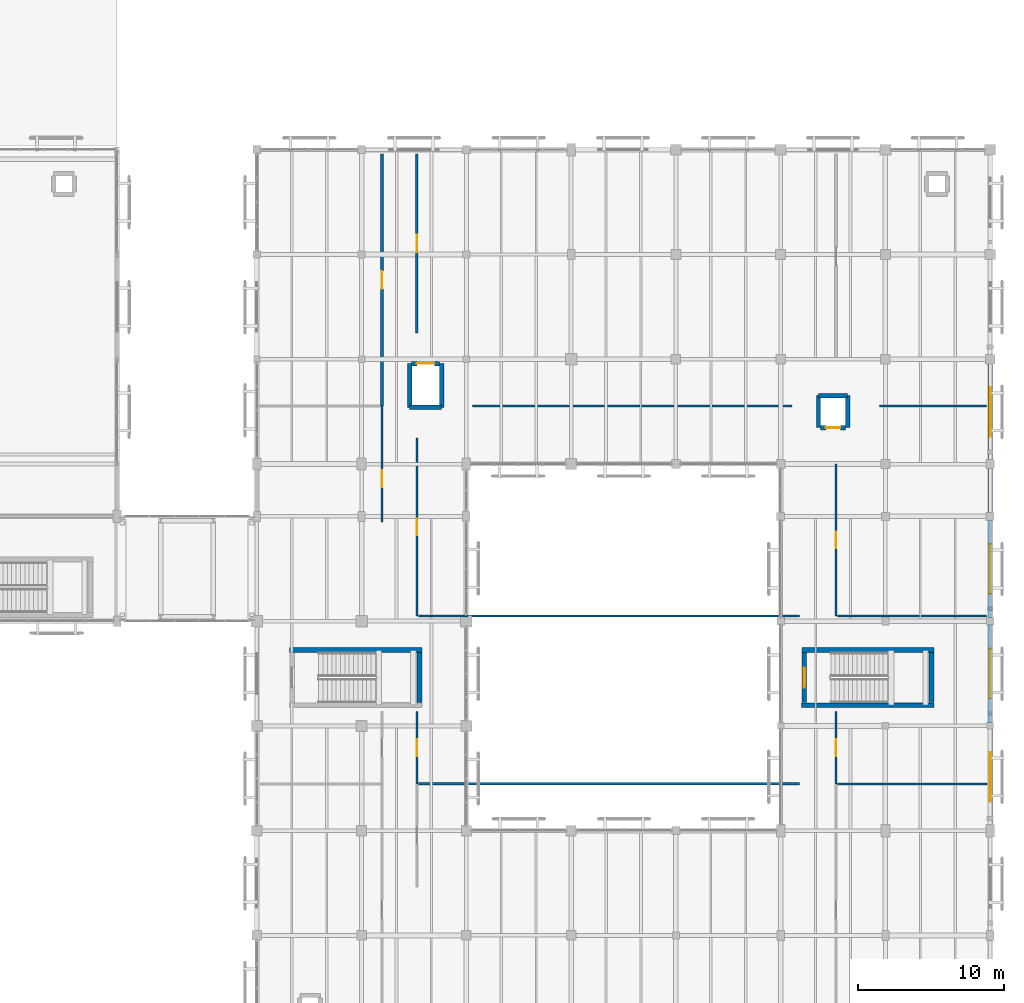
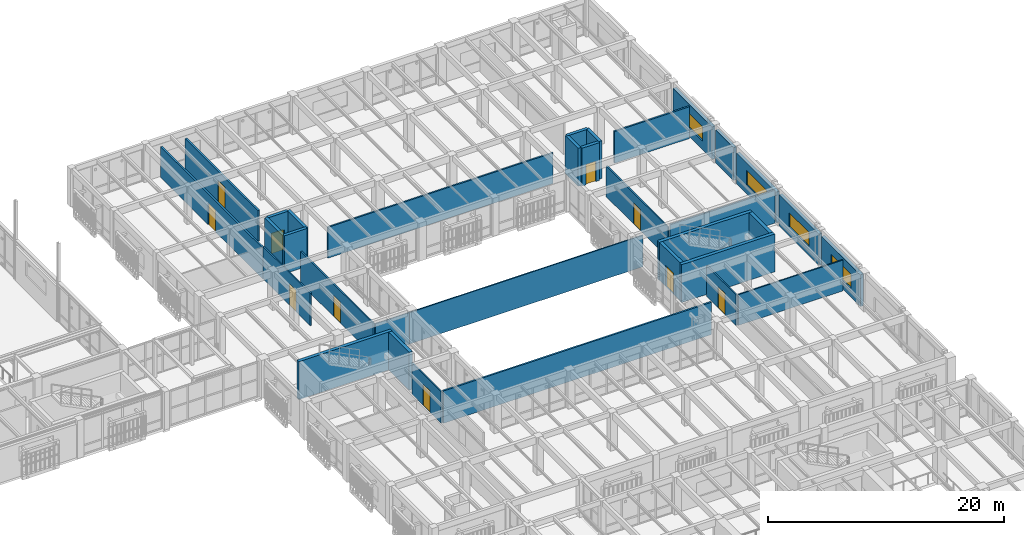
# One storey, part 139 of 170: 33 walls, 10 doors, 4 windows, 14 openings.
"""IFC4 building model written with IfcOpenShell, lengths in metres."""

from ifc_helpers import new_model, si_unit, direction, frame, frame_2d, origin, place, context, subcontext, project, spatial, rectangle, extrude, material, layer, layer_set, type_object, element, fill, save


model = new_model("IFC4")

# Units and contexts
model_context = context("Model", 3, precision=1e-05, world=origin(), true_north=direction((0.0, 1.0)))
body_context = subcontext(model_context, "Body", "Model", "MODEL_VIEW")
ifc_project = project(units=[si_unit("LENGTHUNIT", "METRE"), si_unit("AREAUNIT", "SQUARE_METRE"), si_unit("VOLUMEUNIT", "CUBIC_METRE"), si_unit("PLANEANGLEUNIT", "RADIAN"), si_unit("MASSUNIT", "GRAM", prefix="KILO")], contexts=[model_context])

# Site, building, storey
site_placement = place(None, origin())
site = spatial("IfcSite", under=ifc_project, at=site_placement, CompositionType="ELEMENT")
building_placement = place(site_placement, origin())
building = spatial("IfcBuilding", under=site, at=building_placement, Name="Mazaris Harbour Polytechnic", CompositionType="ELEMENT")
storey_placement = place(building_placement, frame((0.0, 0.0, 5.39990234375)))
storey = spatial("IfcBuildingStorey", under=building, at=storey_placement, Name="L01", CompositionType="ELEMENT", Elevation=5.39990234375)

# Walls
ifc_material_1 = material(Name="Gypsum Board and Mineral Wool")
ifc_layer_1 = layer(ifc_material_1, 0.1201171875, Name="Gypsum Board and Mineral Wool")
ifc_layer_set_1 = layer_set([ifc_layer_1], Name="Gypsum Board and Mineral Wool")
wall_type_1 = type_object("IfcWallType", Name="Acoustic Stud Partition 120", PredefinedType="PARTITIONING", material=ifc_layer_set_1)
wall_1_placement = place(storey_placement, frame((133.52001953125, 75.95703125, 0.0), z_axis=(0.0, 0.0, 1.0), x_axis=(1.0, 0.0, 0.0)))
element("IfcWall", 1, at=wall_1_placement, inside=storey, type_object=wall_type_1, Name="V5 L01 Partition 588", PredefinedType="PARTITIONING", context=body_context, shape_type="SweptSolid", body=[
    extrude(rectangle(XDim=3.35986328125, YDim=0.1201171875, at=frame_2d((1.679931640625, 0.0))), origin(), (0.0, 0.0, 1.0), 3.239990234375),
])
wall_2_placement = place(storey_placement, frame((136.885009765625, 75.95703125, 0.0), z_axis=(0.0, 0.0, 1.0), x_axis=(1.0, 0.0, 0.0)))
element("IfcWall", 2, at=wall_2_placement, inside=storey, type_object=wall_type_1, Name="V5 L01 Partition 590", PredefinedType="PARTITIONING", context=body_context, shape_type="SweptSolid", body=[
    extrude(rectangle(XDim=22.794921875, YDim=0.1201171875, at=frame_2d((11.3974609375, 0.0))), origin(), (0.0, 0.0, 1.0), 3.239990234375),
])
wall_3_placement = place(storey_placement, frame((162.320068359375, 64.4140625, 0.0), z_axis=(0.0, 0.0, 1.0), x_axis=(1.0, 0.0, 0.0)))
element("IfcWall", 3, at=wall_3_placement, inside=storey, type_object=wall_type_1, Name="V5 L01 Partition 594", PredefinedType="PARTITIONING", context=body_context, shape_type="SweptSolid", body=[
    extrude(rectangle(XDim=10.22998046875, YDim=0.1201171875, at=frame_2d((5.114990234375, 0.0))), origin(), (0.0, 0.0, 1.0), 3.18017578125),
])
ifc_material_2 = material(Name="Double Gypsum and Mineral Wool")
ifc_layer_2 = layer(ifc_material_2, 0.14990234375, Name="Double Gypsum and Mineral Wool")
ifc_layer_set_2 = layer_set([ifc_layer_2], Name="Double Gypsum and Mineral Wool")
wall_type_2 = type_object("IfcWallType", Name="Classroom Acoustic Partition 150", PredefinedType="PARTITIONING", material=ifc_layer_set_2)
wall_4_placement = place(storey_placement, frame((137.205078125, 90.385986328125, 0.0), z_axis=(0.0, 0.0, 1.0), x_axis=(1.0, 0.0, 0.0)))
element("IfcWall", 4, at=wall_4_placement, inside=storey, type_object=wall_type_2, Name="V5 L01 Partition 591", PredefinedType="PARTITIONING", context=body_context, shape_type="SweptSolid", body=[
    extrude(rectangle(XDim=21.989990234375, YDim=0.14990234375, at=frame_2d((10.9951171875, 0.0))), origin(), (0.0, 0.0, 1.0), 3.18017578125),
])
wall_5_placement = place(storey_placement, frame((162.320068359375, 75.95703125, 0.0), z_axis=(0.0, 0.0, 1.0), x_axis=(1.0, 0.0, 0.0)))
element("IfcWall", 5, at=wall_5_placement, inside=storey, type_object=wall_type_2, Name="V5 L01 Partition 596", PredefinedType="PARTITIONING", context=body_context, shape_type="SweptSolid", body=[
    extrude(rectangle(XDim=10.22998046875, YDim=0.14990234375, at=frame_2d((5.114990234375, 0.0))), origin(), (0.0, 0.0, 1.0), 3.400146484375),
])

# Wall, opening, door
ifc_material_3 = material(Name="Terracotta Block and Plaster", Category="masonry")
ifc_layer_3 = layer(ifc_material_3, 0.179931640625, Name="Terracotta Block and Plaster")
ifc_layer_set_3 = layer_set([ifc_layer_3], Name="Terracotta Block and Plaster")
wall_type_3 = type_object("IfcWallType", Name="Corridor Fire Partition 180", PredefinedType="PARTITIONING", material=ifc_layer_set_3)
wall_6_placement = place(storey_placement, frame((131.0, 90.39111328125, 0.0), z_axis=(0.0, 0.0, 1.0), x_axis=(0.0, 1.0, 0.0)))
wall_6 = element("IfcWall", 6, at=wall_6_placement, inside=storey, type_object=wall_type_3, Name="V5 L01 Partition 584", PredefinedType="PARTITIONING", context=body_context, shape_type="SweptSolid", body=[
    extrude(rectangle(XDim=17.308837890625, YDim=0.179931640625, at=frame_2d((8.654296875, 0.0))), origin(), (0.0, 0.0, 1.0), 3.18017578125),
])
opening_1_placement = place(wall_6_placement, frame((8.04443359375, 0.0, 0.0)))
opening_1 = element("IfcOpeningElement", 7, at=opening_1_placement, cuts=wall_6, Name="Opening ID-10L", PredefinedType="OPENING", context=body_context, shape_type="SweptSolid", body=[
    extrude(rectangle(XDim=1.219970703125, YDim=2.25, at=frame_2d((0.60986328125, 1.125))), frame((0.0, 0.099853515625, 0.0), z_axis=(0.0, -1.0, 0.0), x_axis=(1.0, 0.0, 0.0)), (0.0, 0.0, 1.0), 0.199951171875),
])
ifc_material_4 = material(Name="Glulam Timber and Glass", Category="wood")
door_type_1 = type_object("IfcDoorType", Name="Library Commons Door LH 1220x2250", OperationType="SINGLE_SWING_LEFT", PredefinedType="DOOR", material=ifc_material_4)
door_1_placement = place(opening_1_placement, origin())
door_1 = element("IfcDoor", 8, at=door_1_placement, inside=storey, type_object=door_type_1, Name="ID-0282", OperationType="SINGLE_SWING_LEFT", OverallHeight=2.25, OverallWidth=1.219970703125, PredefinedType="DOOR", context=body_context, shape_type="SweptSolid", body=[
    extrude(rectangle(XDim=1.219970703125, YDim=2.25, at=frame_2d((0.60986328125, 1.125))), frame((0.0, 0.02490234375, 0.0), z_axis=(0.0, -1.0, 0.0), x_axis=(1.0, 0.0, 0.0)), (0.0, 0.0, 1.0), 0.050048828125),
])
fill(opening_1, door_1)

wall_7_placement = place(storey_placement, frame((133.39990234375, 95.405029296875, 0.0), z_axis=(0.0, 0.0, 1.0), x_axis=(0.0, 1.0, 0.0)))
wall_7 = element("IfcWall", 9, at=wall_7_placement, inside=storey, type_object=wall_type_3, Name="V5 L01 Partition 592", PredefinedType="PARTITIONING", context=body_context, shape_type="SweptSolid", body=[
    extrude(rectangle(XDim=12.294921875, YDim=0.179931640625, at=frame_2d((6.1474609375, 0.0))), origin(), (0.0, 0.0, 1.0), 3.18017578125),
])
opening_2_placement = place(wall_7_placement, frame((5.53759765625, 0.0, 0.0)))
opening_2 = element("IfcOpeningElement", 10, at=opening_2_placement, cuts=wall_7, Name="Opening ID-10L", PredefinedType="OPENING", context=body_context, shape_type="SweptSolid", body=[
    extrude(rectangle(XDim=1.219970703125, YDim=2.25, at=frame_2d((0.60986328125, 1.125))), frame((0.0, 0.099853515625, 0.0), z_axis=(0.0, -1.0, 0.0), x_axis=(1.0, 0.0, 0.0)), (0.0, 0.0, 1.0), 0.199951171875),
])
door_2_placement = place(opening_2_placement, origin())
door_2 = element("IfcDoor", 11, at=door_2_placement, inside=storey, type_object=door_type_1, Name="ID-0286", OperationType="SINGLE_SWING_LEFT", OverallHeight=2.25, OverallWidth=1.219970703125, PredefinedType="DOOR", context=body_context, shape_type="SweptSolid", body=[
    extrude(rectangle(XDim=1.219970703125, YDim=2.25, at=frame_2d((0.60986328125, 1.125))), frame((0.0, 0.02490234375, 0.0), z_axis=(0.0, -1.0, 0.0), x_axis=(1.0, 0.0, 0.0)), (0.0, 0.0, 1.0), 0.050048828125),
])
fill(opening_2, door_2)

# Walls
ifc_material_5 = material(Name="Fireboard and Mineral Wool")
ifc_layer_4 = layer(ifc_material_5, 0.1650390625, Name="Fireboard and Mineral Wool")
ifc_layer_set_4 = layer_set([ifc_layer_4], Name="Fireboard and Mineral Wool")
wall_type_4 = type_object("IfcWallType", Name="Laboratory Rated Partition 165", PredefinedType="PARTITIONING", material=ifc_layer_set_4)
wall_8_placement = place(storey_placement, frame((133.52001953125, 64.4140625, 0.0), z_axis=(0.0, 0.0, 1.0), x_axis=(1.0, 0.0, 0.0)))
element("IfcWall", 12, at=wall_8_placement, inside=storey, type_object=wall_type_4, Name="V5 L01 Partition 586", PredefinedType="PARTITIONING", context=body_context, shape_type="SweptSolid", body=[
    extrude(rectangle(XDim=26.159912109375, YDim=0.1650390625, at=frame_2d((13.080078125, 0.0))), origin(), (0.0, 0.0, 1.0), 3.340087890625),
])
wall_9_placement = place(storey_placement, frame((165.205078125, 90.385986328125, 0.0), z_axis=(0.0, 0.0, 1.0), x_axis=(1.0, 0.0, 0.0)))
element("IfcWall", 13, at=wall_9_placement, inside=storey, type_object=wall_type_4, Name="V5 L01 Partition 598", PredefinedType="PARTITIONING", context=body_context, shape_type="SweptSolid", body=[
    extrude(rectangle(XDim=7.344970703125, YDim=0.1650390625, at=frame_2d((3.67236328125, 0.0))), origin(), (0.0, 0.0, 1.0), 3.280029296875),
])

# Wall, opening, window
ifc_material_6 = material(Name="Algerian Buff Limestone and Mineral Wool", Category="masonry")
ifc_layer_5 = layer(ifc_material_6, 0.31005859375, Name="Algerian Buff Limestone and Mineral Wool")
ifc_layer_set_5 = layer_set([ifc_layer_5], Name="Algerian Buff Limestone and Mineral Wool")
wall_type_5 = type_object("IfcWallType", Name="Limestone Studio Wall 310", PredefinedType="STANDARD", material=ifc_layer_set_5)
wall_10_placement = place(storey_placement, frame((172.800048828125, 68.18310546875, 0.0), z_axis=(0.0, 0.0, 1.0), x_axis=(0.0, -1.0, 0.0)))
wall_10 = element("IfcWall", 14, at=wall_10_placement, inside=storey, type_object=wall_type_5, Name="V5 L01 Exterior Wall 326", PredefinedType="STANDARD", context=body_context, shape_type="SweptSolid", body=[
    extrude(rectangle(XDim=6.566162109375, YDim=0.31005859375, at=frame_2d((3.283203125, 0.0))), origin(), (0.0, 0.0, 1.0), 3.280029296875),
])
opening_3_placement = place(wall_10_placement, frame((1.5830078125, 0.0, 0.89990234375)))
opening_3 = element("IfcOpeningElement", 15, at=opening_3_placement, cuts=wall_10, Name="Opening WN-16", PredefinedType="OPENING", context=body_context, shape_type="SweptSolid", body=[
    extrude(rectangle(XDim=3.39990234375, YDim=1.5, at=frame_2d((1.699951171875, 0.75))), frame((0.0, 0.1650390625, 0.0), z_axis=(0.0, -1.0, 0.0), x_axis=(1.0, 0.0, 0.0)), (0.0, 0.0, 1.0), 0.330078125),
])
ifc_material_7 = material(Name="Thermally Broken Bronze Aluminium and Low-E Glass", Category="aluminium")
window_type = type_object("IfcWindowType", Name="Workshop Clerestory Ribbon 3400x1500", PartitioningType="DOUBLE_PANEL_VERTICAL", PredefinedType="WINDOW", material=ifc_material_7)
window_1_placement = place(opening_3_placement, origin())
window_1 = element("IfcWindow", 16, at=window_1_placement, inside=storey, type_object=window_type, Name="WN-0378", OverallHeight=1.5, OverallWidth=3.39990234375, PartitioningType="DOUBLE_PANEL_VERTICAL", PredefinedType="WINDOW", context=body_context, shape_type="SweptSolid", body=[
    extrude(rectangle(XDim=3.39990234375, YDim=1.5, at=frame_2d((1.699951171875, 0.75))), frame((0.0, 0.030029296875, 0.0), z_axis=(0.0, -1.0, 0.0), x_axis=(1.0, 0.0, 0.0)), (0.0, 0.0, 1.0), 0.06005859375),
])
fill(opening_3, window_1)

wall_11_placement = place(storey_placement, frame((172.800048828125, 75.35791015625, 0.0), z_axis=(0.0, 0.0, 1.0), x_axis=(0.0, -1.0, 0.0)))
wall_11 = element("IfcWall", 17, at=wall_11_placement, inside=storey, type_object=wall_type_5, Name="V5 L01 Exterior Wall 327", PredefinedType="STANDARD", context=body_context, shape_type="SweptSolid", body=[
    extrude(rectangle(XDim=6.740966796875, YDim=0.31005859375, at=frame_2d((3.37060546875, 0.0))), origin(), (0.0, 0.0, 1.0), 3.239990234375),
])
opening_4_placement = place(wall_11_placement, frame((1.67041015625, 0.0, 0.89990234375)))
opening_4 = element("IfcOpeningElement", 18, at=opening_4_placement, cuts=wall_11, Name="Opening WN-16", PredefinedType="OPENING", context=body_context, shape_type="SweptSolid", body=[
    extrude(rectangle(XDim=3.39990234375, YDim=1.5, at=frame_2d((1.699951171875, 0.75))), frame((0.0, 0.1650390625, 0.0), z_axis=(0.0, -1.0, 0.0), x_axis=(1.0, 0.0, 0.0)), (0.0, 0.0, 1.0), 0.330078125),
])
window_2_placement = place(opening_4_placement, origin())
window_2 = element("IfcWindow", 19, at=window_2_placement, inside=storey, type_object=window_type, Name="WN-0379", OverallHeight=1.5, OverallWidth=3.39990234375, PartitioningType="DOUBLE_PANEL_VERTICAL", PredefinedType="WINDOW", context=body_context, shape_type="SweptSolid", body=[
    extrude(rectangle(XDim=3.39990234375, YDim=1.5, at=frame_2d((1.699951171875, 0.75))), frame((0.0, 0.030029296875, 0.0), z_axis=(0.0, -1.0, 0.0), x_axis=(1.0, 0.0, 0.0)), (0.0, 0.0, 1.0), 0.06005859375),
])
fill(opening_4, window_2)

wall_12_placement = place(storey_placement, frame((172.800048828125, 82.532958984375, 0.0), z_axis=(0.0, 0.0, 1.0), x_axis=(0.0, -1.0, 0.0)))
wall_12 = element("IfcWall", 20, at=wall_12_placement, inside=storey, type_object=wall_type_5, Name="V5 L01 Exterior Wall 328", PredefinedType="STANDARD", context=body_context, shape_type="SweptSolid", body=[
    extrude(rectangle(XDim=6.69091796875, YDim=0.31005859375, at=frame_2d((3.345458984375, 0.0))), origin(), (0.0, 0.0, 1.0), 3.18017578125),
])
opening_5_placement = place(wall_12_placement, frame((1.6455078125, 0.0, 0.89990234375)))
opening_5 = element("IfcOpeningElement", 21, at=opening_5_placement, cuts=wall_12, Name="Opening WN-16", PredefinedType="OPENING", context=body_context, shape_type="SweptSolid", body=[
    extrude(rectangle(XDim=3.39990234375, YDim=1.5, at=frame_2d((1.699951171875, 0.75))), frame((0.0, 0.1650390625, 0.0), z_axis=(0.0, -1.0, 0.0), x_axis=(1.0, 0.0, 0.0)), (0.0, 0.0, 1.0), 0.330078125),
])
window_3_placement = place(opening_5_placement, origin())
window_3 = element("IfcWindow", 22, at=window_3_placement, inside=storey, type_object=window_type, Name="WN-0380", OverallHeight=1.5, OverallWidth=3.39990234375, PartitioningType="DOUBLE_PANEL_VERTICAL", PredefinedType="WINDOW", context=body_context, shape_type="SweptSolid", body=[
    extrude(rectangle(XDim=3.39990234375, YDim=1.5, at=frame_2d((1.699951171875, 0.75))), frame((0.0, 0.030029296875, 0.0), z_axis=(0.0, -1.0, 0.0), x_axis=(1.0, 0.0, 0.0)), (0.0, 0.0, 1.0), 0.06005859375),
])
fill(opening_5, window_3)

# Wall
wall_13_placement = place(storey_placement, frame((172.800048828125, 86.10791015625, 0.0), z_axis=(0.0, 0.0, 1.0), x_axis=(0.0, -1.0, 0.0)))
element("IfcWall", 23, at=wall_13_placement, inside=storey, type_object=wall_type_5, Name="V5 L01 Exterior Wall 329", PredefinedType="STANDARD", context=body_context, shape_type="SweptSolid", body=[
    extrude(rectangle(XDim=3.041015625, YDim=0.31005859375, at=frame_2d((1.5205078125, 0.0))), origin(), (0.0, 0.0, 1.0), 3.400146484375),
])

# Wall, opening, window
wall_14_placement = place(storey_placement, frame((172.800048828125, 93.282958984375, 0.0), z_axis=(0.0, 0.0, 1.0), x_axis=(0.0, -1.0, 0.0)))
wall_14 = element("IfcWall", 24, at=wall_14_placement, inside=storey, type_object=wall_type_5, Name="V5 L01 Exterior Wall 330", PredefinedType="STANDARD", context=body_context, shape_type="SweptSolid", body=[
    extrude(rectangle(XDim=6.591064453125, YDim=0.31005859375, at=frame_2d((3.29541015625, 0.0))), origin(), (0.0, 0.0, 1.0), 3.340087890625),
])
opening_6_placement = place(wall_14_placement, frame((1.595458984375, 0.0, 0.89990234375)))
opening_6 = element("IfcOpeningElement", 25, at=opening_6_placement, cuts=wall_14, Name="Opening WN-16", PredefinedType="OPENING", context=body_context, shape_type="SweptSolid", body=[
    extrude(rectangle(XDim=3.39990234375, YDim=1.5, at=frame_2d((1.699951171875, 0.75))), frame((0.0, 0.1650390625, 0.0), z_axis=(0.0, -1.0, 0.0), x_axis=(1.0, 0.0, 0.0)), (0.0, 0.0, 1.0), 0.330078125),
])
window_4_placement = place(opening_6_placement, origin())
window_4 = element("IfcWindow", 26, at=window_4_placement, inside=storey, type_object=window_type, Name="WN-0381", OverallHeight=1.5, OverallWidth=3.39990234375, PartitioningType="DOUBLE_PANEL_VERTICAL", PredefinedType="WINDOW", context=body_context, shape_type="SweptSolid", body=[
    extrude(rectangle(XDim=3.39990234375, YDim=1.5, at=frame_2d((1.699951171875, 0.75))), frame((0.0, 0.030029296875, 0.0), z_axis=(0.0, -1.0, 0.0), x_axis=(1.0, 0.0, 0.0)), (0.0, 0.0, 1.0), 0.06005859375),
])
fill(opening_6, window_4)

# Walls
ifc_material_8 = material(Name="Concrete C40/50", Category="concrete")
ifc_layer_6 = layer(ifc_material_8, 0.324951171875, Name="Concrete C40/50")
ifc_layer_set_6 = layer_set([ifc_layer_6], Name="Concrete C40/50")
wall_type_6 = type_object("IfcWallType", Name="RC Core Shear Wall 325", PredefinedType="SHEAR", material=ifc_layer_set_6)
wall_15_placement = place(storey_placement, frame((133.75, 73.625, 0.0), z_axis=(0.0, 0.0, 1.0), x_axis=(-1.0, 0.0, 0.0)))
element("IfcWall", 27, at=wall_15_placement, inside=storey, type_object=wall_type_6, Name="Core ST09 L01 Shear Wall N", PredefinedType="SHEAR", context=body_context, shape_type="SweptSolid", body=[
    extrude(rectangle(XDim=9.10009765625, YDim=0.324951171875, at=frame_2d((4.550048828125, 0.0))), origin(), (0.0, 0.0, 1.0), 3.920166015625),
])
wall_16_placement = place(storey_placement, frame((133.574951171875, 70.0, 0.0), z_axis=(0.0, 0.0, 1.0), x_axis=(0.0, 1.0, 0.0)))
element("IfcWall", 28, at=wall_16_placement, inside=storey, type_object=wall_type_6, Name="Core ST09 L01 Shear Wall E", PredefinedType="SHEAR", context=body_context, shape_type="SweptSolid", body=[
    extrude(rectangle(XDim=3.449951171875, YDim=0.324951171875, at=frame_2d((1.72509765625, 0.0))), origin(), (0.0, 0.0, 1.0), 3.920166015625),
])
for number, where, z_axis, x_axis, name in (
    (29, (159.85009765625, 69.824951171875, 0.0), (0.0, 0.0, 1.0), (1.0, 0.0, 0.0), "Core ST10 L01 Shear Wall S"),
    (30, (168.949951171875, 73.625, 0.0), (0.0, 0.0, 1.0), (-1.0, 0.0, 0.0), "Core ST10 L01 Shear Wall N"),
):
    element("IfcWall", number, at=place(storey_placement, frame(where, z_axis=z_axis, x_axis=x_axis)), inside=storey, type_object=wall_type_6, Name=name, PredefinedType="SHEAR", context=body_context, shape_type="SweptSolid", body=[
        extrude(rectangle(XDim=9.099853515625, YDim=0.324951171875, at=frame_2d((4.5498046875, 0.0))), origin(), (0.0, 0.0, 1.0), 3.920166015625),
    ])
wall_17_placement = place(storey_placement, frame((168.77490234375, 70.0, 0.0), z_axis=(0.0, 0.0, 1.0), x_axis=(0.0, 1.0, 0.0)))
element("IfcWall", 31, at=wall_17_placement, inside=storey, type_object=wall_type_6, Name="Core ST10 L01 Shear Wall E", PredefinedType="SHEAR", context=body_context, shape_type="SweptSolid", body=[
    extrude(rectangle(XDim=3.449951171875, YDim=0.324951171875, at=frame_2d((1.72509765625, 0.0))), origin(), (0.0, 0.0, 1.0), 3.920166015625),
])

# Wall, opening, door
wall_18_placement = place(storey_placement, frame((160.02490234375, 73.449951171875, 0.0), z_axis=(0.0, 0.0, 1.0), x_axis=(0.0, -1.0, 0.0)))
wall_18 = element("IfcWall", 32, at=wall_18_placement, inside=storey, type_object=wall_type_6, Name="Core ST10 L01 Entrance Shear Wall", PredefinedType="SHEAR", context=body_context, shape_type="SweptSolid", body=[
    extrude(rectangle(XDim=3.449951171875, YDim=0.324951171875, at=frame_2d((1.72509765625, 0.0))), origin(), (0.0, 0.0, 1.0), 3.920166015625),
])
opening_7_placement = place(wall_18_placement, frame((1.034912109375, 0.0, 0.0)))
opening_7 = element("IfcOpeningElement", 33, at=opening_7_placement, cuts=wall_18, Name="Opening SD-01", PredefinedType="OPENING", context=body_context, shape_type="SweptSolid", body=[
    extrude(rectangle(XDim=1.3798828125, YDim=2.199951171875, at=frame_2d((0.68994140625, 1.10009765625))), frame((0.0, 0.17236328125, 0.0), z_axis=(0.0, -1.0, 0.0), x_axis=(1.0, 0.0, 0.0)), (0.0, 0.0, 1.0), 0.344970703125),
])
ifc_material_9 = material(Name="Glulam Timber and Fire Glass", Category="wood")
door_type_2 = type_object("IfcDoorType", Name="Protected Stair Lobby Fire Door 1380x2200", OperationType="DOUBLE_DOOR_SINGLE_SWING", PredefinedType="DOOR", material=ifc_material_9)
door_3_placement = place(opening_7_placement, origin())
door_3 = element("IfcDoor", 34, at=door_3_placement, inside=storey, type_object=door_type_2, Name="SD-050", OperationType="DOUBLE_DOOR_SINGLE_SWING", OverallHeight=2.199951171875, OverallWidth=1.3798828125, PredefinedType="DOOR", context=body_context, shape_type="SweptSolid", body=[
    extrude(rectangle(XDim=1.3798828125, YDim=2.199951171875, at=frame_2d((0.68994140625, 1.10009765625))), frame((0.0, 0.02490234375, 0.0), z_axis=(0.0, -1.0, 0.0), x_axis=(1.0, 0.0, 0.0)), (0.0, 0.0, 1.0), 0.050048828125),
])
fill(opening_7, door_3)

# Walls
ifc_material_10 = material(Name="Concrete C40/50", Category="concrete")
ifc_layer_7 = layer(ifc_material_10, 0.300048828125, Name="Concrete C40/50")
ifc_layer_set_7 = layer_set([ifc_layer_7], Name="Concrete C40/50")
wall_type_7 = type_object("IfcWallType", Name="RC Lift Shaft Wall 300", PredefinedType="SHEAR", material=ifc_layer_set_7)
wall_19_placement = place(storey_placement, frame((132.89990234375, 90.300048828125, 0.0), z_axis=(0.0, 0.0, 1.0), x_axis=(1.0, 0.0, 0.0)))
element("IfcWall", 35, at=wall_19_placement, inside=storey, type_object=wall_type_7, Name="Lift LF-02 L01 South Shaft Wall", PredefinedType="SHEAR", context=body_context, shape_type="SweptSolid", body=[
    extrude(rectangle(XDim=2.2001953125, YDim=0.300048828125, at=frame_2d((1.10009765625, 0.0))), origin(), (0.0, 0.0, 1.0), 3.920166015625),
])
for number, where, z_axis, x_axis, name in (
    (36, (132.89990234375, 93.300048828125, 0.0), (0.0, 0.0, 1.0), (0.0, -1.0, 0.0), "Lift LF-02 L01 West Shaft Wall"),
    (37, (135.10009765625, 90.300048828125, 0.0), (0.0, 0.0, 1.0), (0.0, 1.0, 0.0), "Lift LF-02 L01 East Shaft Wall"),
):
    element("IfcWall", number, at=place(storey_placement, frame(where, z_axis=z_axis, x_axis=x_axis)), inside=storey, type_object=wall_type_7, Name=name, PredefinedType="SHEAR", context=body_context, shape_type="SweptSolid", body=[
        extrude(rectangle(XDim=3.0, YDim=0.300048828125, at=frame_2d((1.5, 0.0))), origin(), (0.0, 0.0, 1.0), 3.920166015625),
    ])
wall_20_placement = place(storey_placement, frame((163.0, 91.10009765625, 0.0), z_axis=(0.0, 0.0, 1.0), x_axis=(-1.0, 0.0, 0.0)))
element("IfcWall", 38, at=wall_20_placement, inside=storey, type_object=wall_type_7, Name="Lift LP-04 L01 North Shaft Wall", PredefinedType="SHEAR", context=body_context, shape_type="SweptSolid", body=[
    extrude(rectangle(XDim=2.0, YDim=0.300048828125, at=frame_2d((1.0, 0.0))), origin(), (0.0, 0.0, 1.0), 3.920166015625),
])
for number, where, z_axis, x_axis, name in (
    (39, (161.0, 91.10009765625, 0.0), (0.0, 0.0, 1.0), (0.0, -1.0, 0.0), "Lift LP-04 L01 West Shaft Wall"),
    (40, (163.0, 88.89990234375, 0.0), (0.0, 0.0, 1.0), (0.0, 1.0, 0.0), "Lift LP-04 L01 East Shaft Wall"),
):
    element("IfcWall", number, at=place(storey_placement, frame(where, z_axis=z_axis, x_axis=x_axis)), inside=storey, type_object=wall_type_7, Name=name, PredefinedType="SHEAR", context=body_context, shape_type="SweptSolid", body=[
        extrude(rectangle(XDim=2.2001953125, YDim=0.300048828125, at=frame_2d((1.10009765625, 0.0))), origin(), (0.0, 0.0, 1.0), 3.920166015625),
    ])

# Wall, opening, door
wall_21_placement = place(storey_placement, frame((133.0400390625, 93.300048828125, 0.0), z_axis=(0.0, 0.0, 1.0), x_axis=(1.0, 0.0, 0.0)))
wall_21 = element("IfcWall", 41, at=wall_21_placement, inside=storey, type_object=wall_type_7, Name="Lift LF-02 L01 Front Shaft Wall", PredefinedType="SHEAR", context=body_context, shape_type="SweptSolid", body=[
    extrude(rectangle(XDim=1.919921875, YDim=0.300048828125, at=frame_2d((0.9599609375, 0.0))), origin(), (0.0, 0.0, 1.0), 3.920166015625),
])
opening_8_placement = place(wall_21_placement, frame((0.360107421875, 0.0, 0.0)))
opening_8 = element("IfcOpeningElement", 42, at=opening_8_placement, cuts=wall_21, Name="Opening LD-02", PredefinedType="OPENING", context=body_context, shape_type="SweptSolid", body=[
    extrude(rectangle(XDim=1.199951171875, YDim=2.10009765625, at=frame_2d((0.60009765625, 1.050048828125))), frame((0.0, 0.159912109375, 0.0), z_axis=(0.0, -1.0, 0.0), x_axis=(1.0, 0.0, 0.0)), (0.0, 0.0, 1.0), 0.320068359375),
])
ifc_material_11 = material(Name="Stainless Steel S355", Category="steel")
door_type_3 = type_object("IfcDoorType", Name="Sliding Firefighting Lift Landing Door 1200x2100", OperationType="SLIDING_TO_LEFT", PredefinedType="DOOR", material=ifc_material_11)
door_4_placement = place(opening_8_placement, origin())
door_4 = element("IfcDoor", 43, at=door_4_placement, inside=storey, type_object=door_type_3, Name="LD-010", OperationType="SLIDING_TO_LEFT", OverallHeight=2.10009765625, OverallWidth=1.199951171875, PredefinedType="DOOR", context=body_context, shape_type="SweptSolid", body=[
    extrude(rectangle(XDim=1.199951171875, YDim=2.10009765625, at=frame_2d((0.60009765625, 1.050048828125))), frame((0.0, 0.02490234375, 0.0), z_axis=(0.0, -1.0, 0.0), x_axis=(1.0, 0.0, 0.0)), (0.0, 0.0, 1.0), 0.050048828125),
])
fill(opening_8, door_4)

wall_22_placement = place(storey_placement, frame((162.860107421875, 88.89990234375, 0.0), z_axis=(0.0, 0.0, 1.0), x_axis=(-1.0, 0.0, 0.0)))
wall_22 = element("IfcWall", 44, at=wall_22_placement, inside=storey, type_object=wall_type_7, Name="Lift LP-04 L01 Front Shaft Wall", PredefinedType="SHEAR", context=body_context, shape_type="SweptSolid", body=[
    extrude(rectangle(XDim=1.72021484375, YDim=0.300048828125, at=frame_2d((0.860107421875, 0.0))), origin(), (0.0, 0.0, 1.0), 3.920166015625),
])
opening_9_placement = place(wall_22_placement, frame((0.360107421875, 0.0, 0.0)))
opening_9 = element("IfcOpeningElement", 45, at=opening_9_placement, cuts=wall_22, Name="Opening LD-01", PredefinedType="OPENING", context=body_context, shape_type="SweptSolid", body=[
    extrude(rectangle(XDim=1.0, YDim=2.10009765625, at=frame_2d((0.5, 1.050048828125))), frame((0.0, 0.159912109375, 0.0), z_axis=(0.0, -1.0, 0.0), x_axis=(1.0, 0.0, 0.0)), (0.0, 0.0, 1.0), 0.320068359375),
])
ifc_material_12 = material(Name="Stainless Steel S355", Category="steel")
door_type_4 = type_object("IfcDoorType", Name="Sliding Passenger Lift Landing Door 1000x2100", OperationType="SLIDING_TO_LEFT", PredefinedType="DOOR", material=ifc_material_12)
door_5_placement = place(opening_9_placement, origin())
door_5 = element("IfcDoor", 46, at=door_5_placement, inside=storey, type_object=door_type_4, Name="LD-032", OperationType="SLIDING_TO_LEFT", OverallHeight=2.10009765625, OverallWidth=1.0, PredefinedType="DOOR", context=body_context, shape_type="SweptSolid", body=[
    extrude(rectangle(XDim=1.0, YDim=2.10009765625, at=frame_2d((0.5, 1.050048828125))), frame((0.0, 0.02490234375, 0.0), z_axis=(0.0, -1.0, 0.0), x_axis=(1.0, 0.0, 0.0)), (0.0, 0.0, 1.0), 0.050048828125),
])
fill(opening_9, door_5)

ifc_material_13 = material(Name="Gypsum Board and Mineral Wool")
ifc_layer_8 = layer(ifc_material_13, 0.135009765625, Name="Gypsum Board and Mineral Wool")
ifc_layer_set_8 = layer_set([ifc_layer_8], Name="Gypsum Board and Mineral Wool")
wall_type_8 = type_object("IfcWallType", Name="Studio Partition Wall 135", PredefinedType="PARTITIONING", material=ifc_layer_set_8)
wall_23_placement = place(storey_placement, frame((131.0, 82.419921875, 0.0), z_axis=(0.0, 0.0, 1.0), x_axis=(0.0, 1.0, 0.0)))
wall_23 = element("IfcWall", 47, at=wall_23_placement, inside=storey, type_object=wall_type_8, Name="V5 L01 Partition 582", PredefinedType="PARTITIONING", context=body_context, shape_type="SweptSolid", body=[
    extrude(rectangle(XDim=7.966064453125, YDim=0.135009765625, at=frame_2d((3.98291015625, 0.0))), origin(), (0.0, 0.0, 1.0), 3.340087890625),
])
opening_10_placement = place(wall_23_placement, frame((2.382080078125, 0.0, 0.0)))
opening_10 = element("IfcOpeningElement", 48, at=opening_10_placement, cuts=wall_23, Name="Opening ID-03R", PredefinedType="OPENING", context=body_context, shape_type="SweptSolid", body=[
    extrude(rectangle(XDim=1.159912109375, YDim=2.199951171875, at=frame_2d((0.580078125, 1.10009765625))), frame((0.0, 0.077392578125, 0.0), z_axis=(0.0, -1.0, 0.0), x_axis=(1.0, 0.0, 0.0)), (0.0, 0.0, 1.0), 0.155029296875),
])
ifc_material_14 = material(Name="Glulam Timber and Acoustic Glass", Category="wood")
door_type_5 = type_object("IfcDoorType", Name="Design Studio Door RH 1160x2200", OperationType="SINGLE_SWING_RIGHT", PredefinedType="DOOR", material=ifc_material_14)
door_6_placement = place(opening_10_placement, origin())
door_6 = element("IfcDoor", 49, at=door_6_placement, inside=storey, type_object=door_type_5, Name="ID-0281", OperationType="SINGLE_SWING_RIGHT", OverallHeight=2.199951171875, OverallWidth=1.159912109375, PredefinedType="DOOR", context=body_context, shape_type="SweptSolid", body=[
    extrude(rectangle(XDim=1.159912109375, YDim=2.199951171875, at=frame_2d((0.580078125, 1.10009765625))), frame((0.0, 0.02490234375, 0.0), z_axis=(0.0, -1.0, 0.0), x_axis=(1.0, 0.0, 0.0)), (0.0, 0.0, 1.0), 0.050048828125),
])
fill(opening_10, door_6)

wall_24_placement = place(storey_placement, frame((133.39990234375, 64.4189453125, 0.0), z_axis=(0.0, 0.0, 1.0), x_axis=(0.0, 1.0, 0.0)))
wall_24 = element("IfcWall", 50, at=wall_24_placement, inside=storey, type_object=wall_type_8, Name="V5 L01 Partition 587", PredefinedType="PARTITIONING", context=body_context, shape_type="SweptSolid", body=[
    extrude(rectangle(XDim=4.97607421875, YDim=0.135009765625, at=frame_2d((2.488037109375, 0.0))), origin(), (0.0, 0.0, 1.0), 3.239990234375),
])
opening_11_placement = place(wall_24_placement, frame((1.9130859375, 0.0, 0.0)))
opening_11 = element("IfcOpeningElement", 51, at=opening_11_placement, cuts=wall_24, Name="Opening ID-03L", PredefinedType="OPENING", context=body_context, shape_type="SweptSolid", body=[
    extrude(rectangle(XDim=1.14990234375, YDim=2.199951171875, at=frame_2d((0.574951171875, 1.10009765625))), frame((0.0, 0.077392578125, 0.0), z_axis=(0.0, -1.0, 0.0), x_axis=(1.0, 0.0, 0.0)), (0.0, 0.0, 1.0), 0.155029296875),
])
ifc_material_15 = material(Name="Glulam Timber and Acoustic Glass", Category="wood")
door_type_6 = type_object("IfcDoorType", Name="Design Studio Door LH 1150x2200", OperationType="SINGLE_SWING_LEFT", PredefinedType="DOOR", material=ifc_material_15)
door_7_placement = place(opening_11_placement, origin())
door_7 = element("IfcDoor", 52, at=door_7_placement, inside=storey, type_object=door_type_6, Name="ID-0284", OperationType="SINGLE_SWING_LEFT", OverallHeight=2.199951171875, OverallWidth=1.14990234375, PredefinedType="DOOR", context=body_context, shape_type="SweptSolid", body=[
    extrude(rectangle(XDim=1.14990234375, YDim=2.199951171875, at=frame_2d((0.574951171875, 1.10009765625))), frame((0.0, 0.02490234375, 0.0), z_axis=(0.0, -1.0, 0.0), x_axis=(1.0, 0.0, 0.0)), (0.0, 0.0, 1.0), 0.050048828125),
])
fill(opening_11, door_7)

wall_25_placement = place(storey_placement, frame((133.39990234375, 75.95703125, 0.0), z_axis=(0.0, 0.0, 1.0), x_axis=(0.0, 1.0, 0.0)))
wall_25 = element("IfcWall", 53, at=wall_25_placement, inside=storey, type_object=wall_type_8, Name="V5 L01 Partition 589", PredefinedType="PARTITIONING", context=body_context, shape_type="SweptSolid", body=[
    extrude(rectangle(XDim=12.238037109375, YDim=0.135009765625, at=frame_2d((6.119140625, 0.0))), origin(), (0.0, 0.0, 1.0), 3.340087890625),
])
opening_12_placement = place(wall_25_placement, frame((5.5390625, 0.0, 0.0)))
opening_12 = element("IfcOpeningElement", 54, at=opening_12_placement, cuts=wall_25, Name="Opening ID-03R", PredefinedType="OPENING", context=body_context, shape_type="SweptSolid", body=[
    extrude(rectangle(XDim=1.159912109375, YDim=2.199951171875, at=frame_2d((0.580078125, 1.10009765625))), frame((0.0, 0.077392578125, 0.0), z_axis=(0.0, -1.0, 0.0), x_axis=(1.0, 0.0, 0.0)), (0.0, 0.0, 1.0), 0.155029296875),
])
door_8_placement = place(opening_12_placement, origin())
door_8 = element("IfcDoor", 55, at=door_8_placement, inside=storey, type_object=door_type_5, Name="ID-0285", OperationType="SINGLE_SWING_RIGHT", OverallHeight=2.199951171875, OverallWidth=1.159912109375, PredefinedType="DOOR", context=body_context, shape_type="SweptSolid", body=[
    extrude(rectangle(XDim=1.159912109375, YDim=2.199951171875, at=frame_2d((0.580078125, 1.10009765625))), frame((0.0, 0.02490234375, 0.0), z_axis=(0.0, -1.0, 0.0), x_axis=(1.0, 0.0, 0.0)), (0.0, 0.0, 1.0), 0.050048828125),
])
fill(opening_12, door_8)

wall_26_placement = place(storey_placement, frame((162.199951171875, 64.4189453125, 0.0), z_axis=(0.0, 0.0, 1.0), x_axis=(0.0, 1.0, 0.0)))
wall_26 = element("IfcWall", 56, at=wall_26_placement, inside=storey, type_object=wall_type_8, Name="V5 L01 Partition 595", PredefinedType="PARTITIONING", context=body_context, shape_type="SweptSolid", body=[
    extrude(rectangle(XDim=4.97607421875, YDim=0.135009765625, at=frame_2d((2.488037109375, 0.0))), origin(), (0.0, 0.0, 1.0), 3.18017578125),
])
opening_13_placement = place(wall_26_placement, frame((1.9130859375, 0.0, 0.0)))
opening_13 = element("IfcOpeningElement", 57, at=opening_13_placement, cuts=wall_26, Name="Opening ID-03L", PredefinedType="OPENING", context=body_context, shape_type="SweptSolid", body=[
    extrude(rectangle(XDim=1.14990234375, YDim=2.199951171875, at=frame_2d((0.574951171875, 1.10009765625))), frame((0.0, 0.077392578125, 0.0), z_axis=(0.0, -1.0, 0.0), x_axis=(1.0, 0.0, 0.0)), (0.0, 0.0, 1.0), 0.155029296875),
])
door_9_placement = place(opening_13_placement, origin())
door_9 = element("IfcDoor", 58, at=door_9_placement, inside=storey, type_object=door_type_6, Name="ID-0288", OperationType="SINGLE_SWING_LEFT", OverallHeight=2.199951171875, OverallWidth=1.14990234375, PredefinedType="DOOR", context=body_context, shape_type="SweptSolid", body=[
    extrude(rectangle(XDim=1.14990234375, YDim=2.199951171875, at=frame_2d((0.574951171875, 1.10009765625))), frame((0.0, 0.02490234375, 0.0), z_axis=(0.0, -1.0, 0.0), x_axis=(1.0, 0.0, 0.0)), (0.0, 0.0, 1.0), 0.050048828125),
])
fill(opening_13, door_9)

wall_27_placement = place(storey_placement, frame((162.199951171875, 75.95703125, 0.0), z_axis=(0.0, 0.0, 1.0), x_axis=(0.0, 1.0, 0.0)))
wall_27 = element("IfcWall", 59, at=wall_27_placement, inside=storey, type_object=wall_type_8, Name="V5 L01 Partition 597", PredefinedType="PARTITIONING", context=body_context, shape_type="SweptSolid", body=[
    extrude(rectangle(XDim=10.43798828125, YDim=0.135009765625, at=frame_2d((5.218994140625, 0.0))), origin(), (0.0, 0.0, 1.0), 3.18017578125),
])
opening_14_placement = place(wall_27_placement, frame((4.638916015625, 0.0, 0.0)))
opening_14 = element("IfcOpeningElement", 60, at=opening_14_placement, cuts=wall_27, Name="Opening ID-03R", PredefinedType="OPENING", context=body_context, shape_type="SweptSolid", body=[
    extrude(rectangle(XDim=1.159912109375, YDim=2.199951171875, at=frame_2d((0.580078125, 1.10009765625))), frame((0.0, 0.077392578125, 0.0), z_axis=(0.0, -1.0, 0.0), x_axis=(1.0, 0.0, 0.0)), (0.0, 0.0, 1.0), 0.155029296875),
])
door_10_placement = place(opening_14_placement, origin())
door_10 = element("IfcDoor", 61, at=door_10_placement, inside=storey, type_object=door_type_5, Name="ID-0289", OperationType="SINGLE_SWING_RIGHT", OverallHeight=2.199951171875, OverallWidth=1.159912109375, PredefinedType="DOOR", context=body_context, shape_type="SweptSolid", body=[
    extrude(rectangle(XDim=1.159912109375, YDim=2.199951171875, at=frame_2d((0.580078125, 1.10009765625))), frame((0.0, 0.02490234375, 0.0), z_axis=(0.0, -1.0, 0.0), x_axis=(1.0, 0.0, 0.0)), (0.0, 0.0, 1.0), 0.050048828125),
])
fill(opening_14, door_10)

save(model, "model.ifc")
